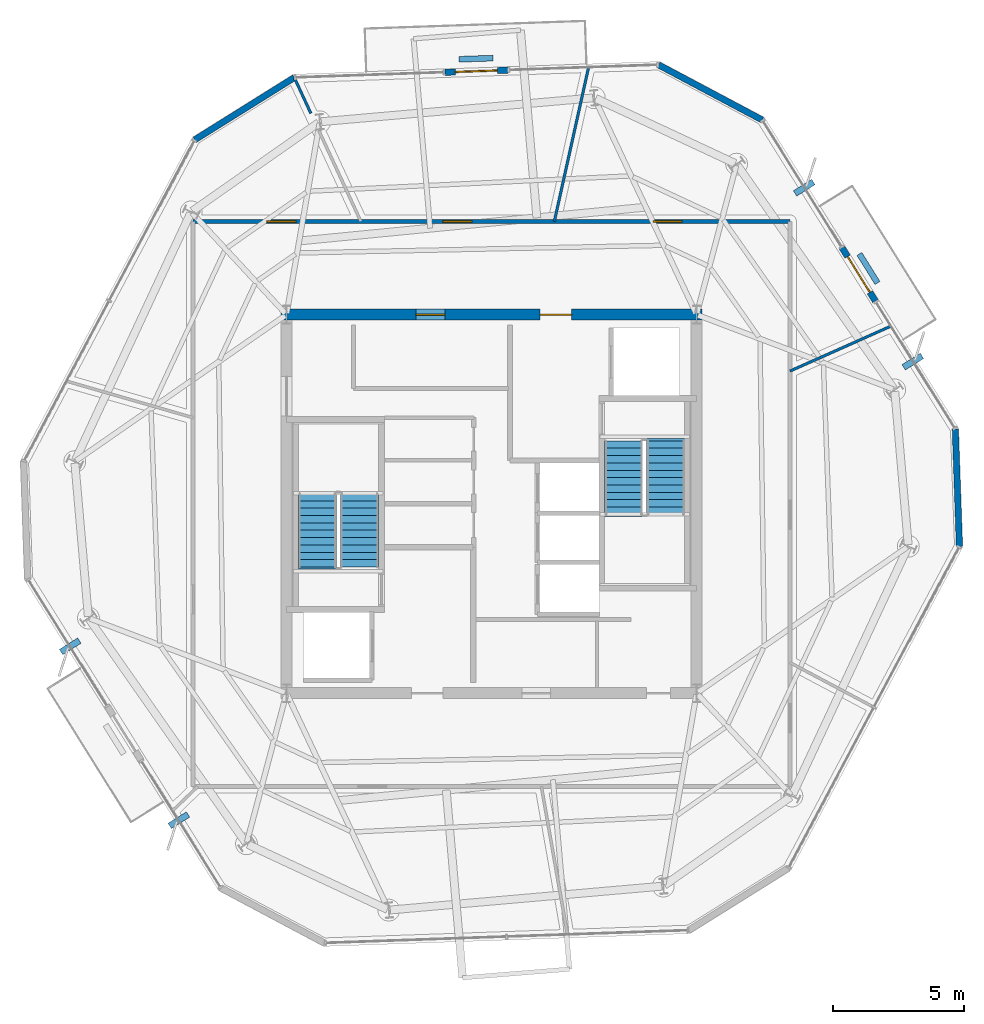
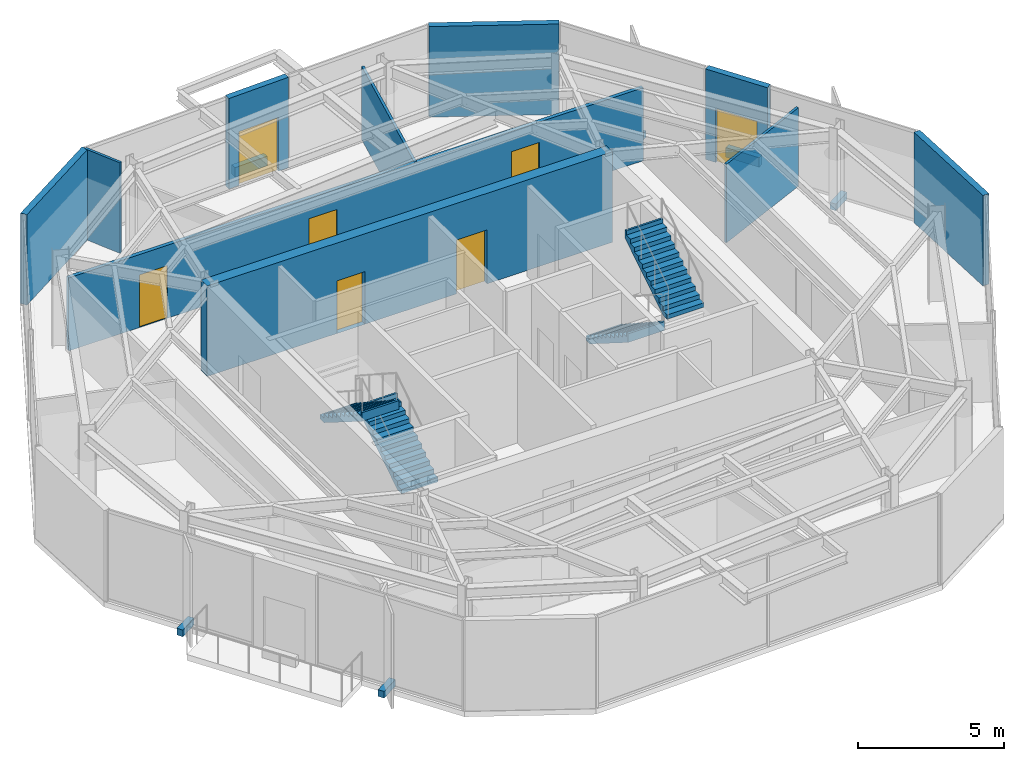
# One storey, part 7 of 11: 12 walls, 7 doors, 4 discrete accessories, 4 stair flights, 7 openings, 2 elements without a shape of their own.
"""IFC4 building model written with IfcOpenShell, lengths in metres."""

from ifc_helpers import new_model, si_unit, direction, frame, frame_2d, origin, origin_2d, place, context, subcontext, project, spatial, polyline, rectangle, outline, extrude, material, layer, layer_set, type_object, element, fill, aggregate, save


model = new_model("IFC4")

# Units and contexts
model_context = context("Model", 3, precision=1e-05, world=origin(), true_north=direction((0.0, 1.0)))
body_context = subcontext(model_context, "Body", "Model", "MODEL_VIEW")
ifc_project = project(units=[si_unit("LENGTHUNIT", "METRE"), si_unit("AREAUNIT", "SQUARE_METRE"), si_unit("VOLUMEUNIT", "CUBIC_METRE"), si_unit("PLANEANGLEUNIT", "RADIAN"), si_unit("MASSUNIT", "GRAM", prefix="KILO")], contexts=[model_context])

# Site, building, storey
site_placement = place(None, origin())
site = spatial("IfcSite", under=ifc_project, at=site_placement, CompositionType="ELEMENT")
building_placement = place(site_placement, origin())
building = spatial("IfcBuilding", under=site, at=building_placement, Name="Kranzbogen Civic Tower", CompositionType="ELEMENT")
storey_placement = place(building_placement, frame((0.0, 0.0, 274.199951171875)))
storey = spatial("IfcBuildingStorey", under=building, at=storey_placement, Name="L66", CompositionType="ELEMENT", Elevation=274.199951171875)

# Wall, openings, doors
ifc_material_1 = material(Name="Double-Stud Acoustic Gypsum Partition")
ifc_layer_1 = layer(ifc_material_1, 0.14990234375, Name="Double-Stud Acoustic Gypsum Partition")
ifc_layer_set_1 = layer_set([ifc_layer_1], Name="Double-Stud Acoustic Gypsum Partition")
wall_type_1 = type_object("IfcWallType", Name="Acoustic Corridor and Clinical Partition 150 mm", PredefinedType="PARTITIONING", material=ifc_layer_set_1)
wall_1_placement = place(storey_placement, frame((13.64990234375, 35.75, 0.0), z_axis=(0.0, 0.0, 1.0), x_axis=(1.0, 0.0, 0.0)))
wall_1 = element("IfcWall", 1, at=wall_1_placement, inside=storey, type_object=wall_type_1, Name="L66 corridor partition 01", PredefinedType="PARTITIONING", context=body_context, shape_type="SweptSolid", body=[
    extrude(rectangle(XDim=22.7001953125, YDim=0.14990234375, at=frame_2d((11.35009765625, 0.0))), origin(), (0.0, 0.0, 1.0), 3.050048828125),
])
opening_1_placement = place(wall_1_placement, frame((9.5, 0.0, 0.0)))
opening_1 = element("IfcOpeningElement", 2, at=opening_1_placement, cuts=wall_1, Name="Opening D-COR60", PredefinedType="OPENING", context=body_context, shape_type="SweptSolid", body=[
    extrude(rectangle(XDim=1.10009765625, YDim=2.199951171875, at=frame_2d((0.550048828125, 1.10009765625))), frame((0.0, 0.0849609375, 0.0), z_axis=(0.0, -1.0, 0.0), x_axis=(1.0, 0.0, 0.0)), (0.0, 0.0, 1.0), 0.169921875),
])
opening_2_placement = place(wall_1_placement, frame((17.493896484375, 0.0, 0.0)))
opening_2 = element("IfcOpeningElement", 3, at=opening_2_placement, cuts=wall_1, Name="Opening D-COR60", PredefinedType="OPENING", context=body_context, shape_type="SweptSolid", body=[
    extrude(rectangle(XDim=1.10009765625, YDim=2.199951171875, at=frame_2d((0.550048828125, 1.10009765625))), frame((0.0, 0.0849609375, 0.0), z_axis=(0.0, -1.0, 0.0), x_axis=(1.0, 0.0, 0.0)), (0.0, 0.0, 1.0), 0.169921875),
])
opening_3_placement = place(wall_1_placement, frame((2.803955078125, 0.0, 0.0)))
opening_3 = element("IfcOpeningElement", 4, at=opening_3_placement, cuts=wall_1, Name="Opening D-COR60", PredefinedType="OPENING", context=body_context, shape_type="SweptSolid", body=[
    extrude(rectangle(XDim=1.10009765625, YDim=2.199951171875, at=frame_2d((0.550048828125, 1.10009765625))), frame((0.0, 0.0849609375, 0.0), z_axis=(0.0, -1.0, 0.0), x_axis=(1.0, 0.0, 0.0)), (0.0, 0.0, 1.0), 0.169921875),
])
ifc_material_2 = material(Name="Oak Timber and Fire Core", Category="wood")
door_type_1 = type_object("IfcDoorType", Name="Corridor Acoustic Fire Door 1100x2200", OperationType="NOTDEFINED", PredefinedType="DOOR", material=ifc_material_2)
door_1_placement = place(opening_1_placement, origin())
door_1 = element("IfcDoor", 5, at=door_1_placement, inside=storey, type_object=door_type_1, Name="L66 Hospitality Catering Kitchen door", OperationType="SINGLE_SWING_LEFT", OverallHeight=2.199951171875, OverallWidth=1.10009765625, PredefinedType="DOOR", context=body_context, shape_type="SweptSolid", body=[
    extrude(rectangle(XDim=1.10009765625, YDim=2.199951171875, at=frame_2d((0.550048828125, 1.10009765625))), frame((0.0, 0.02490234375, 0.0), z_axis=(0.0, -1.0, 0.0), x_axis=(1.0, 0.0, 0.0)), (0.0, 0.0, 1.0), 0.050048828125),
])
fill(opening_1, door_1)
door_2_placement = place(opening_2_placement, origin())
door_2 = element("IfcDoor", 6, at=door_2_placement, inside=storey, type_object=door_type_1, Name="L66 Refreshment Galley Pantry door", OperationType="SINGLE_SWING_RIGHT", OverallHeight=2.199951171875, OverallWidth=1.10009765625, PredefinedType="DOOR", context=body_context, shape_type="SweptSolid", body=[
    extrude(rectangle(XDim=1.10009765625, YDim=2.199951171875, at=frame_2d((0.550048828125, 1.10009765625))), frame((0.0, 0.02490234375, 0.0), z_axis=(0.0, -1.0, 0.0), x_axis=(1.0, 0.0, 0.0)), (0.0, 0.0, 1.0), 0.050048828125),
])
fill(opening_2, door_2)
door_3_placement = place(opening_3_placement, origin())
door_3 = element("IfcDoor", 7, at=door_3_placement, inside=storey, type_object=door_type_1, Name="L66 Ministerial Policy Office door", OperationType="SINGLE_SWING_LEFT", OverallHeight=2.199951171875, OverallWidth=1.10009765625, PredefinedType="DOOR", context=body_context, shape_type="SweptSolid", body=[
    extrude(rectangle(XDim=1.10009765625, YDim=2.199951171875, at=frame_2d((0.550048828125, 1.10009765625))), frame((0.0, 0.02490234375, 0.0), z_axis=(0.0, -1.0, 0.0), x_axis=(1.0, 0.0, 0.0)), (0.0, 0.0, 1.0), 0.050048828125),
])
fill(opening_3, door_3)

# Walls
ifc_material_3 = material(Name="Architectural Precast Terracotta Concrete C40/50", Category="masonry")
ifc_layer_2 = layer(ifc_material_3, 0.219970703125, Name="Architectural Precast Terracotta Concrete C40/50")
ifc_layer_set_2 = layer_set([ifc_layer_2], Name="Architectural Precast Terracotta Concrete C40/50")
wall_type_2 = type_object("IfcWallType", Name="Architectural Tree Planter Kerb Wall 220 mm", PredefinedType="USERDEFINED", material=ifc_layer_set_2)
wall_2_placement = place(storey_placement, frame((39.679931640625, 33.406982421875, 0.0), z_axis=(0.0, 0.0, 1.0), x_axis=(-0.52955968417, 0.848272680747, 0.0)))
element("IfcWall", 8, at=wall_2_placement, inside=storey, type_object=wall_type_2, Name="L66 landscaped tree balcony planter L66-TB1", ObjectType="PLANTER_WALL", PredefinedType="USERDEFINED", context=body_context, shape_type="SweptSolid", body=[
    extrude(rectangle(XDim=1.299072265625, YDim=0.219970703125, at=frame_2d((0.6494140625, 0.0))), origin(), (0.0, 0.0, 1.0), 0.400146484375),
])
wall_3_placement = place(storey_placement, frame((25.05810546875, 41.958984375, 0.0), z_axis=(0.0, 0.0, 1.0), x_axis=(-0.9993773547, -0.035283181725, 0.0)))
element("IfcWall", 9, at=wall_3_placement, inside=storey, type_object=wall_type_2, Name="L66 landscaped tree balcony planter L66-ST", ObjectType="PLANTER_WALL", PredefinedType="USERDEFINED", context=body_context, shape_type="SweptSolid", body=[
    extrude(rectangle(XDim=1.30078125, YDim=0.219970703125, at=frame_2d((0.650390625, 0.0))), origin(), (0.0, 0.0, 1.0), 0.400146484375),
])

# Wall, openings, doors
ifc_material_4 = material(Name="Concrete C45/55", Category="concrete")
ifc_layer_3 = layer(ifc_material_4, 0.419921875, Name="Concrete C45/55")
ifc_layer_set_3 = layer_set([ifc_layer_3], Name="Concrete C45/55")
wall_type_3 = type_object("IfcWallType", Name="Central Core Shear Wall 420 mm", PredefinedType="SHEAR", material=ifc_layer_set_3)
wall_4_placement = place(storey_placement, frame((33.010009765625, 32.199951171875, 0.0), z_axis=(0.0, 0.0, 1.0), x_axis=(-1.0, 0.0, 0.0)))
wall_4 = element("IfcWall", 10, at=wall_4_placement, inside=storey, type_object=wall_type_3, Name="L66 central core North shear wall", PredefinedType="SHEAR", context=body_context, shape_type="SweptSolid", body=[
    extrude(rectangle(XDim=16.02001953125, YDim=0.419921875, at=frame_2d((8.010009765625, 0.0))), origin(), (0.0, 0.0, 1.0), 3.780029296875),
])
opening_4_placement = place(wall_4_placement, frame((4.9599609375, 0.0, 0.0)))
opening_4 = element("IfcOpeningElement", 11, at=opening_4_placement, cuts=wall_4, Name="Opening D-EX120", PredefinedType="OPENING", context=body_context, shape_type="SweptSolid", body=[
    extrude(rectangle(XDim=1.199951171875, YDim=2.25, at=frame_2d((0.60009765625, 1.125))), frame((0.0, 0.219970703125, 0.0), z_axis=(0.0, -1.0, 0.0), x_axis=(1.0, 0.0, 0.0)), (0.0, 0.0, 1.0), 0.43994140625),
])
opening_5_placement = place(wall_4_placement, frame((9.784912109375, 0.0, 0.0)))
opening_5 = element("IfcOpeningElement", 12, at=opening_5_placement, cuts=wall_4, Name="Opening D-COR60", PredefinedType="OPENING", context=body_context, shape_type="SweptSolid", body=[
    extrude(rectangle(XDim=1.10009765625, YDim=2.199951171875, at=frame_2d((0.550048828125, 1.10009765625))), frame((0.0, 0.219970703125, 0.0), z_axis=(0.0, -1.0, 0.0), x_axis=(1.0, 0.0, 0.0)), (0.0, 0.0, 1.0), 0.43994140625),
])
door_4_placement = place(opening_5_placement, origin())
door_4 = element("IfcDoor", 13, at=door_4_placement, inside=storey, type_object=door_type_1, Name="L66 DAT1 comms room door", OperationType="SINGLE_SWING_RIGHT", OverallHeight=2.199951171875, OverallWidth=1.10009765625, PredefinedType="DOOR", context=body_context, shape_type="SweptSolid", body=[
    extrude(rectangle(XDim=1.10009765625, YDim=2.199951171875, at=frame_2d((0.550048828125, 1.10009765625))), frame((0.0, 0.02490234375, 0.0), z_axis=(0.0, -1.0, 0.0), x_axis=(1.0, 0.0, 0.0)), (0.0, 0.0, 1.0), 0.050048828125),
])
fill(opening_5, door_4)
ifc_material_5 = material(Name="Steel S355", Category="steel")
door_type_2 = type_object("IfcDoorType", Name="Exit Passageway Fire Door 1200x2250", OperationType="NOTDEFINED", PredefinedType="DOOR", material=ifc_material_5)
door_5_placement = place(opening_4_placement, origin())
door_5 = element("IfcDoor", 14, at=door_5_placement, inside=storey, type_object=door_type_2, Name="L66 East firefighting lobby corridor door", OperationType="SINGLE_SWING_RIGHT", OverallHeight=2.25, OverallWidth=1.199951171875, PredefinedType="DOOR", context=body_context, shape_type="SweptSolid", body=[
    extrude(rectangle(XDim=1.199951171875, YDim=2.25, at=frame_2d((0.60009765625, 1.125))), frame((0.0, 0.02490234375, 0.0), z_axis=(0.0, -1.0, 0.0), x_axis=(1.0, 0.0, 0.0)), (0.0, 0.0, 1.0), 0.050048828125),
])
fill(opening_4, door_5)

# Walls
ifc_material_6 = material(Name="Demountable Aluminium and Gypsum Partition", Category="aluminium")
ifc_layer_4 = layer(ifc_material_6, 0.10009765625, Name="Demountable Aluminium and Gypsum Partition")
ifc_layer_set_4 = layer_set([ifc_layer_4], Name="Demountable Aluminium and Gypsum Partition")
wall_type_4 = type_object("IfcWallType", Name="Demountable Office Partition 100 mm", PredefinedType="MOVABLE", material=ifc_layer_set_4)
wall_5_placement = place(storey_placement, frame((18.126953125, 39.85791015625, 0.0), z_axis=(0.0, 0.0, 1.0), x_axis=(-0.419789381907, 0.907621548245, 0.0)))
element("IfcWall", 15, at=wall_5_placement, inside=storey, type_object=wall_type_4, Name="L66 radial room partition 01 part 2", PredefinedType="MOVABLE", context=body_context, shape_type="SweptSolid", body=[
    extrude(rectangle(XDim=1.48193359375, YDim=0.10009765625, at=frame_2d((0.740966796875, 0.0))), origin(), (0.0, 0.0, 1.0), 3.780029296875),
])
wall_6_placement = place(storey_placement, frame((36.35009765625, 30.052978515625, 0.0), z_axis=(0.0, 0.0, 1.0), x_axis=(0.91359052296, 0.40663540962, 0.0)))
element("IfcWall", 16, at=wall_6_placement, inside=storey, type_object=wall_type_4, Name="L66 radial room partition 06", PredefinedType="MOVABLE", context=body_context, shape_type="SweptSolid", body=[
    extrude(rectangle(XDim=4.193115234375, YDim=0.10009765625, at=frame_2d((2.0966796875, 0.0))), origin(), (0.0, 0.0, 1.0), 3.280029296875),
])
wall_7_placement = place(storey_placement, frame((27.388916015625, 35.75, 0.0), z_axis=(0.0, 0.0, 1.0), x_axis=(0.216995227023, 0.976172664773, 0.0)))
element("IfcWall", 17, at=wall_7_placement, inside=storey, type_object=wall_type_4, Name="L66 radial room partition 07", PredefinedType="MOVABLE", context=body_context, shape_type="SweptSolid", body=[
    extrude(rectangle(XDim=5.986572265625, YDim=0.10009765625, at=frame_2d((2.9931640625, 0.0))), origin(), (0.0, 0.0, 1.0), 3.050048828125),
])

# Wall, opening, door
ifc_material_7 = material(Name="Pale Anodised Aluminium", Category="aluminium")
ifc_layer_5 = layer(ifc_material_7, 0.239990234375, Name="Pale Anodised Aluminium")
ifc_layer_set_5 = layer_set([ifc_layer_5], Name="Pale Anodised Aluminium")
wall_type_5 = type_object("IfcWallType", Name="Insulated Aluminium Facade Portal Wall 240 mm", PredefinedType="STANDARD", material=ifc_layer_set_5)
wall_8_placement = place(storey_placement, frame((25.6240234375, 41.5029296875, 0.0), z_axis=(0.0, 0.0, 1.0), x_axis=(-0.999387742129, -0.03498772474, 0.0)))
wall_8 = element("IfcWall", 18, at=wall_8_placement, inside=storey, type_object=wall_type_5, Name="L66 exterior entrance portal wall 1", PredefinedType="STANDARD", context=body_context, shape_type="SweptSolid", body=[
    extrude(rectangle(XDim=2.400390625, YDim=0.239990234375, at=frame_2d((1.2001953125, 0.0))), origin(), (0.0, 0.0, 1.0), 3.780029296875),
])
opening_6_placement = place(wall_8_placement, frame((0.39990234375, 0.0, 0.0)))
opening_6 = element("IfcOpeningElement", 19, at=opening_6_placement, cuts=wall_8, Name="Opening D-TER", PredefinedType="OPENING", context=body_context, shape_type="SweptSolid", body=[
    extrude(rectangle(XDim=1.60009765625, YDim=2.25, at=frame_2d((0.800048828125, 1.125))), frame((0.0, 0.1298828125, 0.0), z_axis=(0.0, -1.0, 0.0), x_axis=(1.0, 0.0, 0.0)), (0.0, 0.0, 1.0), 0.260009765625),
])
ifc_material_8 = material(Name="Anodised Bronze and Triple Glass", Category="glass")
door_type_3 = type_object("IfcDoorType", Name="Glazed Terrace and Balcony Double Door 1600x2250", OperationType="DOUBLE_DOOR_SINGLE_SWING", PredefinedType="DOOR", material=ifc_material_8)
door_6_placement = place(opening_6_placement, frame((1.60009765625, 0.0, 0.0), z_axis=(0.0, 0.0, 1.0), x_axis=(-1.0, 0.0, 0.0)))
door_6 = element("IfcDoor", 20, at=door_6_placement, inside=storey, type_object=door_type_3, Name="L66 spiral terrace access door L66-ST", OperationType="DOUBLE_DOOR_SINGLE_SWING", OverallHeight=2.25, OverallWidth=1.60009765625, PredefinedType="DOOR", context=body_context, shape_type="SweptSolid", body=[
    extrude(rectangle(XDim=1.60009765625, YDim=2.25, at=frame_2d((0.800048828125, 1.125))), frame((0.0, 0.02490234375, 0.0), z_axis=(0.0, -1.0, 0.0), x_axis=(1.0, 0.0, 0.0)), (0.0, 0.0, 1.0), 0.050048828125),
])
fill(opening_6, door_6)

# Walls
wall_9_placement = place(storey_placement, frame((17.498046875, 41.218994140625, 0.0), z_axis=(0.0, 0.0, 1.0), x_axis=(-0.847998304005, -0.529998940003, 0.0)))
element("IfcWall", 21, at=wall_9_placement, inside=storey, type_object=wall_type_5, Name="L66 chamfered corner facade spandrel 1", PredefinedType="STANDARD", context=body_context, shape_type="SweptSolid", body=[
    extrude(rectangle(XDim=4.4658203125, YDim=0.239990234375, at=frame_2d((2.23291015625, 0.0))), origin(), (0.0, 0.0, 1.0), 3.780029296875),
])
wall_10_placement = place(storey_placement, frame((42.798095703125, 23.387939453125, 0.0), z_axis=(0.0, 0.0, 1.0), x_axis=(-0.034940625932, 0.999389389907, 0.0)))
element("IfcWall", 22, at=wall_10_placement, inside=storey, type_object=wall_type_5, Name="L66 chamfered corner facade spandrel 5", PredefinedType="STANDARD", context=body_context, shape_type="SweptSolid", body=[
    extrude(rectangle(XDim=4.46484375, YDim=0.239990234375, at=frame_2d((2.232421875, 0.0))), origin(), (0.0, 0.0, 1.0), 3.780029296875),
])

# Wall, opening, door
wall_11_placement = place(storey_placement, frame((39.60400390625, 32.7109375, 0.0), z_axis=(0.0, 0.0, 1.0), x_axis=(-0.529706236636, 0.848181173376, 0.0)))
wall_11 = element("IfcWall", 23, at=wall_11_placement, inside=storey, type_object=wall_type_5, Name="L66 exterior entrance portal wall 1", PredefinedType="STANDARD", context=body_context, shape_type="SweptSolid", body=[
    extrude(rectangle(XDim=2.3994140625, YDim=0.239990234375, at=frame_2d((1.19970703125, 0.0))), origin(), (0.0, 0.0, 1.0), 3.780029296875),
])
opening_7_placement = place(wall_11_placement, frame((0.39990234375, 0.0, 0.0)))
opening_7 = element("IfcOpeningElement", 24, at=opening_7_placement, cuts=wall_11, Name="Opening D-TER", PredefinedType="OPENING", context=body_context, shape_type="SweptSolid", body=[
    extrude(rectangle(XDim=1.60009765625, YDim=2.25, at=frame_2d((0.800048828125, 1.125))), frame((0.0, 0.1298828125, 0.0), z_axis=(0.0, -1.0, 0.0), x_axis=(1.0, 0.0, 0.0)), (0.0, 0.0, 1.0), 0.260009765625),
])
door_7_placement = place(opening_7_placement, frame((1.60009765625, 0.0, 0.0), z_axis=(0.0, 0.0, 1.0), x_axis=(-1.0, 0.0, 0.0)))
door_7 = element("IfcDoor", 25, at=door_7_placement, inside=storey, type_object=door_type_3, Name="L66 tree balcony access door L66-TB1", OperationType="DOUBLE_DOOR_SINGLE_SWING", OverallHeight=2.25, OverallWidth=1.60009765625, PredefinedType="DOOR", context=body_context, shape_type="SweptSolid", body=[
    extrude(rectangle(XDim=1.60009765625, YDim=2.25, at=frame_2d((0.800048828125, 1.125))), frame((0.0, 0.02490234375, 0.0), z_axis=(0.0, -1.0, 0.0), x_axis=(1.0, 0.0, 0.0)), (0.0, 0.0, 1.0), 0.050048828125),
])
fill(opening_7, door_7)

# Wall
wall_12_placement = place(storey_placement, frame((35.294921875, 39.60693359375, 0.0), z_axis=(0.0, 0.0, 1.0), x_axis=(-0.882995347911, 0.469381737574, 0.0)))
element("IfcWall", 26, at=wall_12_placement, inside=storey, type_object=wall_type_5, Name="L66 chamfered corner facade spandrel 6", PredefinedType="STANDARD", context=body_context, shape_type="SweptSolid", body=[
    extrude(rectangle(XDim=4.46533203125, YDim=0.239990234375, at=frame_2d((2.232666015625, 0.0))), origin(), (0.0, 0.0, 1.0), 3.780029296875),
])

# Stair, stair flights
ifc_material_9 = material(Name="Precast concrete C40/50", Category="concrete")
stair_type_1 = type_object("IfcStairType", Name="Tower Core Pressurized Dogleg Stair 1450", PredefinedType="HALF_TURN_STAIR", material=ifc_material_9)
stair_1_placement = place(storey_placement, origin())
stair_1 = element("IfcStair", 27, at=stair_1_placement, inside=storey, type_object=stair_type_1, Name="L66 Tower Core Pressurized Stair 1", PredefinedType="HALF_TURN_STAIR")
stair_flight_type = type_object("IfcStairFlightType", Name="Precast Concrete Stair Flight R180", PredefinedType="STRAIGHT", material=ifc_material_9)
stair_flight_1_placement = place(storey_placement, frame((19.97509765625, 22.60009765625, 0.0), z_axis=(0.0, 0.0, 1.0), x_axis=(0.0, 1.0, 0.0)))
stair_flight_1 = element("IfcStairFlight", 28, at=stair_flight_1_placement, type_object=stair_flight_type, Name="ST-T1 flight 1", NumberOfRisers=11, NumberOfTreads=10, PredefinedType="STRAIGHT", RiserHeight=0.181818182, TreadLength=0.28, context=body_context, shape_type="SweptSolid", body=[
    extrude(outline(polyline([(0.0, 0.0), (0.0, 0.181884765625), (0.280029296875, 0.181884765625), (0.280029296875, 0.363525390625), (0.56005859375, 0.363525390625), (0.56005859375, 0.54541015625), (0.840087890625, 0.54541015625), (0.840087890625, 0.727294921875), (1.1201171875, 0.727294921875), (1.1201171875, 0.9091796875), (1.39990234375, 0.9091796875), (1.39990234375, 1.0908203125), (1.679931640625, 1.0908203125), (1.679931640625, 1.272705078125), (1.9599609375, 1.272705078125), (1.9599609375, 1.45458984375), (2.239990234375, 1.45458984375), (2.239990234375, 1.636474609375), (2.52001953125, 1.636474609375), (2.52001953125, 1.818115234375), (2.800048828125, 1.818115234375), (2.800048828125, 2.0), (2.880126953125, 2.0), (2.880126953125, 1.639404296875), (0.275146484375, 0.0), (0.0, 0.0)])), frame((0.0, 0.72509765625, 0.0), z_axis=(0.0, -1.0, 0.0), x_axis=(1.0, 0.0, 0.0)), (0.0, 0.0, 1.0), 1.449951171875),
])
stair_flight_2_placement = place(storey_placement, frame((18.375, 25.39990234375, 2.0), z_axis=(0.0, 0.0, 1.0), x_axis=(0.0, -1.0, 0.0)))
stair_flight_2 = element("IfcStairFlight", 29, at=stair_flight_2_placement, type_object=stair_flight_type, Name="ST-T1 flight 2", NumberOfRisers=11, NumberOfTreads=10, PredefinedType="STRAIGHT", RiserHeight=0.181818182, TreadLength=0.28, context=body_context, shape_type="SweptSolid", body=[
    extrude(outline(polyline([(0.0, 0.0), (0.0, 0.181884765625), (0.280029296875, 0.181884765625), (0.280029296875, 0.363525390625), (0.56005859375, 0.363525390625), (0.56005859375, 0.54541015625), (0.840087890625, 0.54541015625), (0.840087890625, 0.727294921875), (1.1201171875, 0.727294921875), (1.1201171875, 0.9091796875), (1.39990234375, 0.9091796875), (1.39990234375, 1.0908203125), (1.679931640625, 1.0908203125), (1.679931640625, 1.272705078125), (1.9599609375, 1.272705078125), (1.9599609375, 1.45458984375), (2.239990234375, 1.45458984375), (2.239990234375, 1.636474609375), (2.52001953125, 1.636474609375), (2.52001953125, 1.818115234375), (2.800048828125, 1.818115234375), (2.800048828125, 2.0), (2.880126953125, 2.0), (2.880126953125, 1.639404296875), (0.275146484375, 0.0), (0.0, 0.0)])), frame((0.0, 0.72509765625, 0.0), z_axis=(0.0, -1.0, 0.0), x_axis=(1.0, 0.0, 0.0)), (0.0, 0.0, 1.0), 1.449951171875),
])
aggregate(stair_1, [stair_flight_1, stair_flight_2])

stair_type_2 = type_object("IfcStairType", Name="Tower Core Secondary Dogleg Stair 1450", PredefinedType="HALF_TURN_STAIR", material=ifc_material_9)
stair_2_placement = place(storey_placement, origin())
stair_2 = element("IfcStair", 30, at=stair_2_placement, inside=storey, type_object=stair_type_2, Name="L66 Tower Core Pressurized Stair 2", PredefinedType="HALF_TURN_STAIR")
stair_flight_3_placement = place(storey_placement, frame((30.02490234375, 27.39990234375, 0.0), z_axis=(0.0, 0.0, 1.0), x_axis=(0.0, -1.0, 0.0)))
stair_flight_3 = element("IfcStairFlight", 31, at=stair_flight_3_placement, type_object=stair_flight_type, Name="ST-T2 flight 1", NumberOfRisers=11, NumberOfTreads=10, PredefinedType="STRAIGHT", RiserHeight=0.181818182, TreadLength=0.28, context=body_context, shape_type="SweptSolid", body=[
    extrude(outline(polyline([(0.0, 0.0), (0.0, 0.181884765625), (0.280029296875, 0.181884765625), (0.280029296875, 0.363525390625), (0.56005859375, 0.363525390625), (0.56005859375, 0.54541015625), (0.840087890625, 0.54541015625), (0.840087890625, 0.727294921875), (1.1201171875, 0.727294921875), (1.1201171875, 0.9091796875), (1.39990234375, 0.9091796875), (1.39990234375, 1.0908203125), (1.679931640625, 1.0908203125), (1.679931640625, 1.272705078125), (1.9599609375, 1.272705078125), (1.9599609375, 1.45458984375), (2.239990234375, 1.45458984375), (2.239990234375, 1.636474609375), (2.52001953125, 1.636474609375), (2.52001953125, 1.818115234375), (2.800048828125, 1.818115234375), (2.800048828125, 2.0), (2.880126953125, 2.0), (2.880126953125, 1.639404296875), (0.275146484375, 0.0), (0.0, 0.0)])), frame((0.0, 0.72509765625, 0.0), z_axis=(0.0, -1.0, 0.0), x_axis=(1.0, 0.0, 0.0)), (0.0, 0.0, 1.0), 1.449951171875),
])
stair_flight_4_placement = place(storey_placement, frame((31.625, 24.60009765625, 2.0), z_axis=(0.0, 0.0, 1.0), x_axis=(0.0, 1.0, 0.0)))
stair_flight_4 = element("IfcStairFlight", 32, at=stair_flight_4_placement, type_object=stair_flight_type, Name="ST-T2 flight 2", NumberOfRisers=11, NumberOfTreads=10, PredefinedType="STRAIGHT", RiserHeight=0.181818182, TreadLength=0.28, context=body_context, shape_type="SweptSolid", body=[
    extrude(outline(polyline([(0.0, 0.0), (0.0, 0.181884765625), (0.280029296875, 0.181884765625), (0.280029296875, 0.363525390625), (0.56005859375, 0.363525390625), (0.56005859375, 0.54541015625), (0.840087890625, 0.54541015625), (0.840087890625, 0.727294921875), (1.1201171875, 0.727294921875), (1.1201171875, 0.9091796875), (1.39990234375, 0.9091796875), (1.39990234375, 1.0908203125), (1.679931640625, 1.0908203125), (1.679931640625, 1.272705078125), (1.9599609375, 1.272705078125), (1.9599609375, 1.45458984375), (2.239990234375, 1.45458984375), (2.239990234375, 1.636474609375), (2.52001953125, 1.636474609375), (2.52001953125, 1.818115234375), (2.800048828125, 1.818115234375), (2.800048828125, 2.0), (2.880126953125, 2.0), (2.880126953125, 1.639404296875), (0.275146484375, 0.0), (0.0, 0.0)])), frame((0.0, 0.72509765625, 0.0), z_axis=(0.0, -1.0, 0.0), x_axis=(1.0, 0.0, 0.0)), (0.0, 0.0, 1.0), 1.449951171875),
])
aggregate(stair_2, [stair_flight_3, stair_flight_4])

# Discrete accessories
discrete_accessory_type = type_object("IfcDiscreteAccessoryType", Name="Structural Curtain-Wall Fin Support Bracket", PredefinedType="BRACKET", material=ifc_material_5)
for number, where, z_axis, x_axis, name in (
    (33, (8.97412109375, 19.5849609375, -0.25), (0.0, 0.0, 1.0), (-0.848048096156, -0.529919264233, 0.0), "L66 facade fin support bracket F3-1"),
    (34, (13.10693359375, 12.969970703125, -0.25), (0.0, 0.0, 1.0), (-0.848048096156, -0.529919264233, 0.0), "L66 facade fin support bracket F3-4"),
    (35, (41.02587890625, 30.4150390625, -0.25), (0.0, 0.0, 1.0), (0.848048096156, 0.529919264233, 0.0), "L66 facade fin support bracket F6-1"),
    (36, (36.89306640625, 37.030029296875, -0.25), (0.0, 0.0, 1.0), (0.848048096156, 0.529919264233, 0.0), "L66 facade fin support bracket F6-4"),
):
    element("IfcDiscreteAccessory", number, at=place(storey_placement, frame(where, z_axis=z_axis, x_axis=x_axis)), inside=storey, type_object=discrete_accessory_type, Name=name, PredefinedType="BRACKET", context=body_context, shape_type="SweptSolid", body=[
        extrude(rectangle(XDim=0.820068359375, YDim=0.239990234375, at=origin_2d()), origin(), (0.0, 0.0, 1.0), 0.280029296875),
    ])

save(model, "model.ifc")
